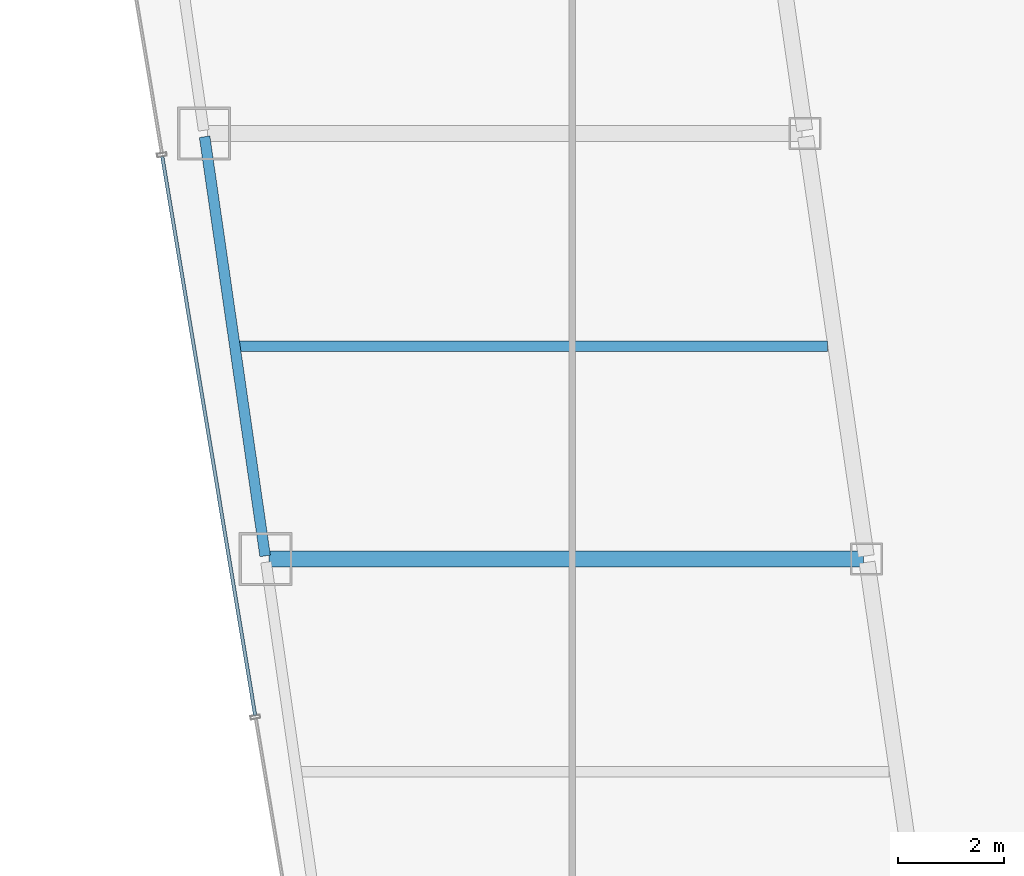
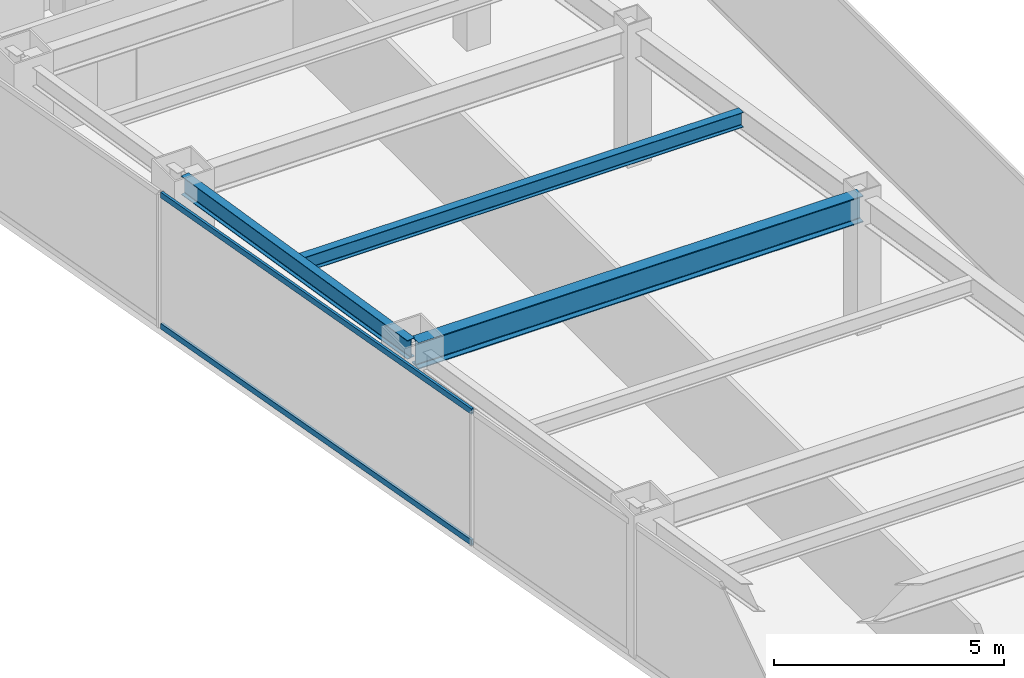
# One storey, part 8 of 37: 3 beams, 2 members, 1 element without a shape of its own.
"""IFC4 building model written with IfcOpenShell, lengths in metres."""

from ifc_helpers import new_model, si_unit, direction, frame, origin, origin_2d, place, context, subcontext, project, spatial, hollow_rectangle, i_section, extrude, material, material_profile, profile_set, type_object, element, aggregate, save


model = new_model("IFC4")

# Units and contexts
model_context = context("Model", 3, precision=1e-05, world=origin(), true_north=direction((0.0, 1.0)))
body_context = subcontext(model_context, "Body", "Model", "MODEL_VIEW")
ifc_project = project(units=[si_unit("LENGTHUNIT", "METRE"), si_unit("AREAUNIT", "SQUARE_METRE"), si_unit("VOLUMEUNIT", "CUBIC_METRE"), si_unit("PLANEANGLEUNIT", "RADIAN"), si_unit("MASSUNIT", "GRAM", prefix="KILO")], contexts=[model_context])

# Site, building, storey
site_placement = place(None, origin())
site = spatial("IfcSite", under=ifc_project, at=site_placement, CompositionType="ELEMENT")
building_placement = place(site_placement, origin())
building = spatial("IfcBuilding", under=site, at=building_placement, Name="Saevonmaru Cultural Tower", CompositionType="ELEMENT")
storey_placement = place(building_placement, frame((0.0, 0.0, 141.0)))
storey = spatial("IfcBuildingStorey", under=building, at=storey_placement, Name="L30", CompositionType="ELEMENT", Elevation=141.0)

# Beams
ifc_material_1 = material(Name="Steel SM355", Category="steel")
ifc_material_profile_1 = material_profile(ifc_material_1, i_section(OverallWidth=0.300048828125, OverallDepth=0.699951171875, WebThickness=0.012939453125, FlangeThickness=0.02392578125, FilletRadius=0.02587890625, at=origin_2d()), Name="H-700x300x13x24")
ifc_profile_set_1 = profile_set([ifc_material_profile_1], Name="Steel SM355")
beam_type_1 = type_object("IfcBeamType", Name="BM-G-H700", PredefinedType="BEAM", material=ifc_profile_set_1)
beam_1_placement = place(storey_placement, frame((9.531982421875, 24.0, 3.199951171875), z_axis=(1.0, 0.0, 0.0), x_axis=(0.0, 1.0, 0.0)))
element("IfcBeam", 1, at=beam_1_placement, inside=storey, type_object=beam_type_1, Name="L30 West Wing Transverse Girder 3", PredefinedType="BEAM", context=body_context, shape_type="SweptSolid", body=[
    extrude(i_section(OverallWidth=0.300048828125, OverallDepth=0.699951171875, WebThickness=0.012939453125, FlangeThickness=0.02392578125, FilletRadius=0.02587890625, at=origin_2d()), origin(), (0.0, 0.0, 1.0), 11.179931640625),
])
ifc_material_profile_2 = material_profile(ifc_material_1, i_section(OverallWidth=0.199951171875, OverallDepth=0.39990234375, WebThickness=0.008056640625, FlangeThickness=0.012939453125, FilletRadius=0.01611328125, at=origin_2d()), Name="H-400x200x8x13")
ifc_profile_set_2 = profile_set([ifc_material_profile_2], Name="Steel SM355")
beam_type_2 = type_object("IfcBeamType", Name="BM-J-H400", PredefinedType="JOIST", material=ifc_profile_set_2)
beam_2_placement = place(storey_placement, frame((8.95458984375, 28.0, 3.35009765625), z_axis=(1.0, 0.0, 0.0), x_axis=(0.0, 1.0, 0.0)))
element("IfcBeam", 2, at=beam_2_placement, inside=storey, type_object=beam_type_2, Name="L30 West Wing Floor Joist 3", PredefinedType="JOIST", context=body_context, shape_type="SweptSolid", body=[
    extrude(i_section(OverallWidth=0.199951171875, OverallDepth=0.39990234375, WebThickness=0.008056640625, FlangeThickness=0.012939453125, FilletRadius=0.01611328125, at=origin_2d()), origin(), (0.0, 0.0, 1.0), 11.08203125),
])
ifc_material_profile_3 = material_profile(ifc_material_1, i_section(OverallWidth=0.199951171875, OverallDepth=0.5, WebThickness=0.010009765625, FlangeThickness=0.01611328125, FilletRadius=0.02001953125, at=origin_2d()), Name="H-500x200x10x16")
ifc_profile_set_3 = profile_set([ifc_material_profile_3], Name="Steel SM355")
beam_type_3 = type_object("IfcBeamType", Name="BM-SP-H500", PredefinedType="SPANDREL", material=ifc_profile_set_3)
beam_3_placement = place(storey_placement, frame((9.46337890625, 24.059326171875, 3.300048828125), z_axis=(-0.142871999001, 0.989741174197, 0.0), x_axis=(-0.989741174197, -0.142871999001, 0.0)))
element("IfcBeam", 3, at=beam_3_placement, inside=storey, type_object=beam_type_3, Name="L30 West Splayed Spandrel 3", PredefinedType="SPANDREL", context=body_context, shape_type="SweptSolid", body=[
    extrude(i_section(OverallWidth=0.199951171875, OverallDepth=0.5, WebThickness=0.010009765625, FlangeThickness=0.01611328125, FilletRadius=0.02001953125, at=origin_2d()), origin(), (0.0, 0.0, 1.0), 7.963134765625),
])

# Curtain wall, members
ifc_material_2 = material(Name="Satin Bronze Anodised Aluminium", Category="aluminium")
curtain_wall_type = type_object("IfcCurtainWallType", Name="CW-TYP-A", PredefinedType="NOTDEFINED", material=ifc_material_2)
curtain_wall_placement = place(storey_placement, origin())
curtain_wall = element("IfcCurtainWall", 4, at=curtain_wall_placement, inside=storey, type_object=curtain_wall_type, Name="L30 Unitised Curtain Wall E12", PredefinedType="NOTDEFINED")
ifc_material_profile_4 = material_profile(ifc_material_2, hollow_rectangle(XDim=0.06494140625, YDim=0.14990234375, WallThickness=0.00390625, at=origin_2d()), Name="ALU-TRAN-150x65x4")
ifc_profile_set_4 = profile_set([ifc_material_profile_4], Name="Satin Bronze Anodised Aluminium")
member_type = type_object("IfcMemberType", Name="TR-CW-150x65", PredefinedType="USERDEFINED", material=ifc_profile_set_4)
member_1_placement = place(storey_placement, frame((7.52978515625, 31.56787109375, 0.032470703125), z_axis=(0.163993787386, -0.98646137162, 0.0), x_axis=(0.98646137162, 0.163993787386, 0.0)))
member_1 = element("IfcMember", 5, at=member_1_placement, type_object=member_type, Name="CW-TW-L30-E12 transom 3.1", ObjectType="TRANSOM", PredefinedType="USERDEFINED", context=body_context, shape_type="SweptSolid", body=[
    extrude(hollow_rectangle(XDim=0.06494140625, YDim=0.14990234375, WallThickness=0.00390625, at=origin_2d()), origin(), (0.0, 0.0, 1.0), 10.650390625),
])
member_2_placement = place(storey_placement, frame((7.52978515625, 31.56787109375, 3.517578125), z_axis=(0.163993787386, -0.98646137162, 0.0), x_axis=(0.98646137162, 0.163993787386, 0.0)))
member_2 = element("IfcMember", 6, at=member_2_placement, type_object=member_type, Name="CW-TW-L30-E12 transom 3.2", ObjectType="TRANSOM", PredefinedType="USERDEFINED", context=body_context, shape_type="SweptSolid", body=[
    extrude(hollow_rectangle(XDim=0.06494140625, YDim=0.14990234375, WallThickness=0.00390625, at=origin_2d()), origin(), (0.0, 0.0, 1.0), 10.650390625),
])
aggregate(curtain_wall, [member_1, member_2])

save(model, "model.ifc")
